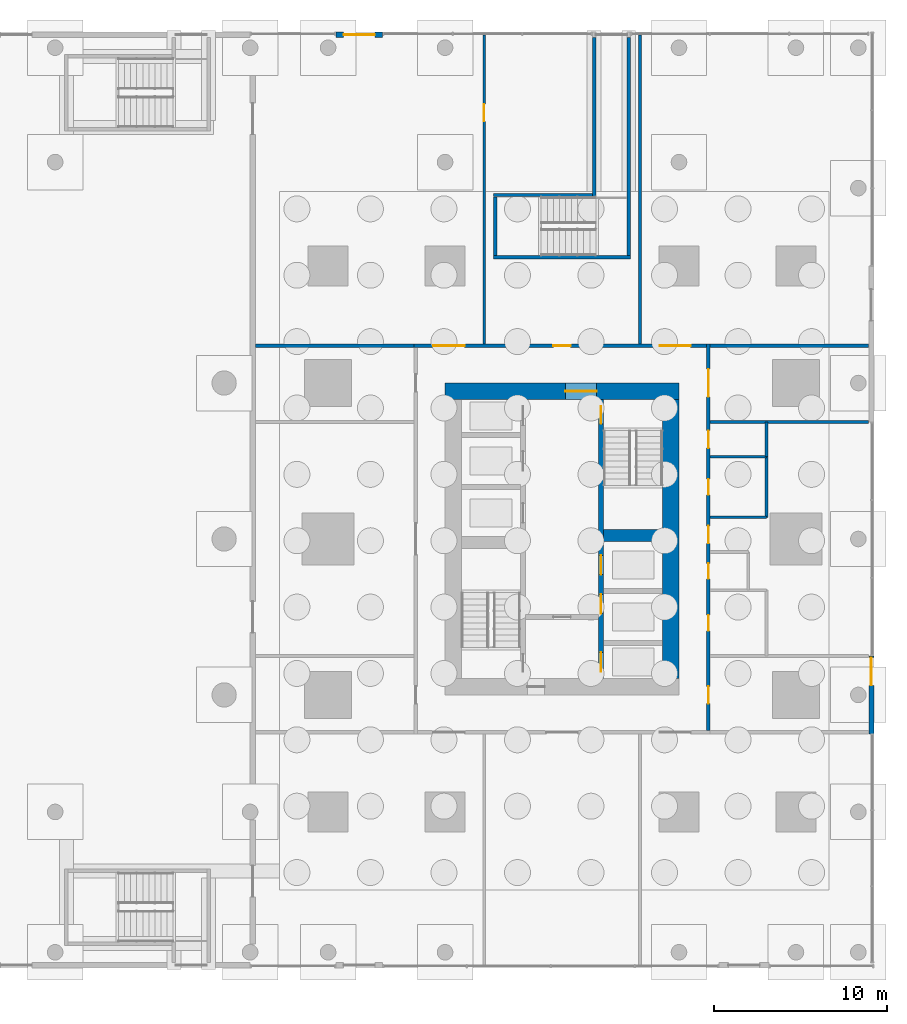
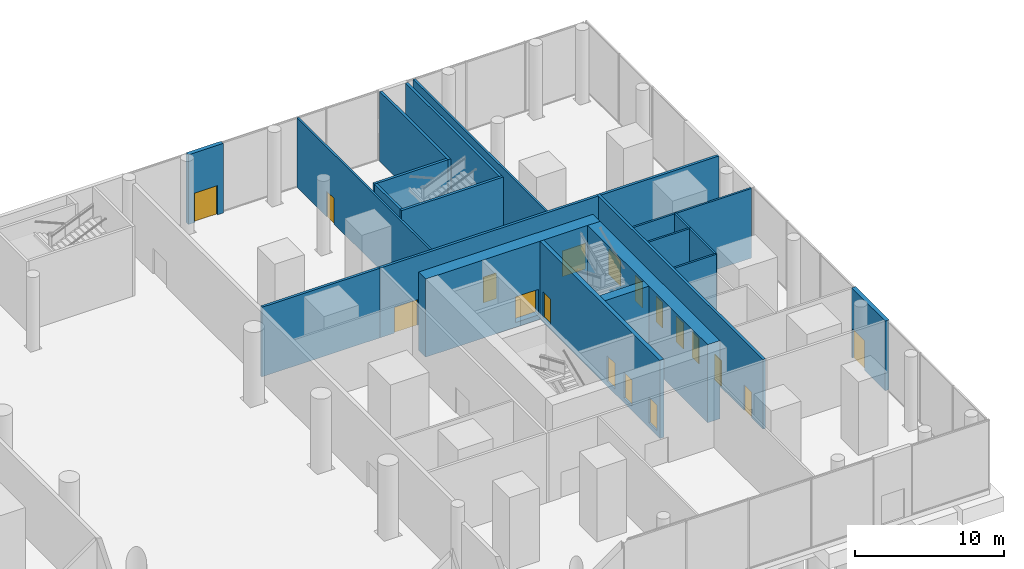
# One storey, part 22 of 31: 22 walls, 18 doors, 18 openings.
"""IFC4 building model written with IfcOpenShell, lengths in metres."""

from ifc_helpers import new_model, si_unit, direction, frame, frame_2d, origin, place, context, subcontext, project, spatial, rectangle, extrude, material, layer, layer_set, type_object, element, fill, save


model = new_model("IFC4")

# Units and contexts
model_context = context("Model", 3, precision=1e-05, world=origin(), true_north=direction((0.0, 1.0)))
body_context = subcontext(model_context, "Body", "Model", "MODEL_VIEW")
ifc_project = project(units=[si_unit("LENGTHUNIT", "METRE"), si_unit("AREAUNIT", "SQUARE_METRE"), si_unit("VOLUMEUNIT", "CUBIC_METRE"), si_unit("PLANEANGLEUNIT", "RADIAN"), si_unit("MASSUNIT", "GRAM", prefix="KILO")], contexts=[model_context])

# Site, building, storey
site_placement = place(None, origin())
site = spatial("IfcSite", under=ifc_project, at=site_placement, CompositionType="ELEMENT")
building_placement = place(site_placement, origin())
building = spatial("IfcBuilding", under=site, at=building_placement, Name="Namib Vertical Campus", CompositionType="ELEMENT")
storey_placement = place(building_placement, origin())
storey = spatial("IfcBuildingStorey", under=building, at=storey_placement, Name="L00", CompositionType="ELEMENT", Elevation=0.0)

# Wall, openings, doors
ifc_material_1 = material(Name="Concrete C60/75", Category="concrete")
ifc_layer_1 = layer(ifc_material_1, 0.300048828125)
ifc_layer_set_1 = layer_set([ifc_layer_1], Name="Concrete C60/75")
wall_type_1 = type_object("IfcWallType", Name="Core inner wall 300", PredefinedType="SHEAR", material=ifc_layer_set_1)
wall_1_placement = place(storey_placement, frame((83.25, 12.199951171875, -0.39990234375), z_axis=(0.0, 0.0, 1.0), x_axis=(0.0, 1.0, 0.0)))
wall_1 = element("IfcWall", 1, at=wall_1_placement, inside=storey, type_object=wall_type_1, Name="Core inner wall B L00 W2", PredefinedType="SHEAR", context=body_context, shape_type="SweptSolid", body=[
    extrude(rectangle(XDim=16.10009765625, YDim=0.300048828125, at=frame_2d((8.050048828125, 0.0))), origin(), (0.0, 0.0, 1.0), 6.39990234375),
])
opening_1_placement = place(wall_1_placement, frame((14.699951171875, 0.0, 0.39990234375)))
opening_1 = element("IfcOpeningElement", 2, at=opening_1_placement, cuts=wall_1, Name="Opening FD1", PredefinedType="OPENING", context=body_context, shape_type="SweptSolid", body=[
    extrude(rectangle(XDim=1.0, YDim=2.10009765625, at=frame_2d((0.5, 1.050048828125))), frame((0.0, 0.159912109375, 0.0), z_axis=(0.0, -1.0, 0.0), x_axis=(1.0, 0.0, 0.0)), (0.0, 0.0, 1.0), 0.320068359375),
])
opening_2_placement = place(wall_1_placement, frame((0.39990234375, 0.0, 0.39990234375)))
opening_2 = element("IfcOpeningElement", 3, at=opening_2_placement, cuts=wall_1, Name="Opening LD1", PredefinedType="OPENING", context=body_context, shape_type="SweptSolid", body=[
    extrude(rectangle(XDim=1.10009765625, YDim=2.10009765625, at=frame_2d((0.550048828125, 1.050048828125))), frame((0.0, 0.159912109375, 0.0), z_axis=(0.0, -1.0, 0.0), x_axis=(1.0, 0.0, 0.0)), (0.0, 0.0, 1.0), 0.320068359375),
])
opening_3_placement = place(wall_1_placement, frame((3.75, 0.0, 0.39990234375)))
opening_3 = element("IfcOpeningElement", 4, at=opening_3_placement, cuts=wall_1, Name="Opening LD1", PredefinedType="OPENING", context=body_context, shape_type="SweptSolid", body=[
    extrude(rectangle(XDim=1.10009765625, YDim=2.10009765625, at=frame_2d((0.550048828125, 1.050048828125))), frame((0.0, 0.159912109375, 0.0), z_axis=(0.0, -1.0, 0.0), x_axis=(1.0, 0.0, 0.0)), (0.0, 0.0, 1.0), 0.320068359375),
])
opening_4_placement = place(wall_1_placement, frame((6.0, 0.0, 0.39990234375)))
opening_4 = element("IfcOpeningElement", 5, at=opening_4_placement, cuts=wall_1, Name="Opening LD1", PredefinedType="OPENING", context=body_context, shape_type="SweptSolid", body=[
    extrude(rectangle(XDim=1.10009765625, YDim=2.10009765625, at=frame_2d((0.550048828125, 1.050048828125))), frame((0.0, 0.159912109375, 0.0), z_axis=(0.0, -1.0, 0.0), x_axis=(1.0, 0.0, 0.0)), (0.0, 0.0, 1.0), 0.320068359375),
])
ifc_material_2 = material(Name="Steel fire door", Category="steel")
door_type_1 = type_object("IfcDoorType", Name="Fire door 1000x2100", OperationType="SINGLE_SWING_RIGHT", PredefinedType="DOOR", material=ifc_material_2)
door_1_placement = place(opening_1_placement, origin())
door_1 = element("IfcDoor", 6, at=door_1_placement, inside=storey, type_object=door_type_1, Name="Stair door FD1 B L00 S2", OperationType="SINGLE_SWING_RIGHT", OverallHeight=2.10009765625, OverallWidth=1.0, PredefinedType="DOOR", context=body_context, shape_type="SweptSolid", body=[
    extrude(rectangle(XDim=1.0, YDim=2.10009765625, at=frame_2d((0.5, 1.050048828125))), frame((0.0, 0.02490234375, 0.0), z_axis=(0.0, -1.0, 0.0), x_axis=(1.0, 0.0, 0.0)), (0.0, 0.0, 1.0), 0.050048828125),
])
fill(opening_1, door_1)
ifc_material_3 = material(Name="Stainless steel lift door", Category="steel")
door_type_2 = type_object("IfcDoorType", Name="Lift landing door 1100x2100", OperationType="DOUBLE_DOOR_SLIDING", PredefinedType="DOOR", material=ifc_material_3)
door_2_placement = place(opening_2_placement, origin())
door_2 = element("IfcDoor", 7, at=door_2_placement, inside=storey, type_object=door_type_2, Name="Lift landing door LD1 B-FL1 L00", OperationType="DOUBLE_DOOR_SLIDING", OverallHeight=2.10009765625, OverallWidth=1.10009765625, PredefinedType="DOOR", context=body_context, shape_type="SweptSolid", body=[
    extrude(rectangle(XDim=1.10009765625, YDim=2.10009765625, at=frame_2d((0.550048828125, 1.050048828125))), frame((0.0, 0.02490234375, 0.0), z_axis=(0.0, -1.0, 0.0), x_axis=(1.0, 0.0, 0.0)), (0.0, 0.0, 1.0), 0.050048828125),
])
fill(opening_2, door_2)
door_3_placement = place(opening_3_placement, origin())
door_3 = element("IfcDoor", 8, at=door_3_placement, inside=storey, type_object=door_type_2, Name="Lift landing door LD1 B-P4 L00", OperationType="DOUBLE_DOOR_SLIDING", OverallHeight=2.10009765625, OverallWidth=1.10009765625, PredefinedType="DOOR", context=body_context, shape_type="SweptSolid", body=[
    extrude(rectangle(XDim=1.10009765625, YDim=2.10009765625, at=frame_2d((0.550048828125, 1.050048828125))), frame((0.0, 0.02490234375, 0.0), z_axis=(0.0, -1.0, 0.0), x_axis=(1.0, 0.0, 0.0)), (0.0, 0.0, 1.0), 0.050048828125),
])
fill(opening_3, door_3)
door_4_placement = place(opening_4_placement, origin())
door_4 = element("IfcDoor", 9, at=door_4_placement, inside=storey, type_object=door_type_2, Name="Lift landing door LD1 B-P5 L00", OperationType="DOUBLE_DOOR_SLIDING", OverallHeight=2.10009765625, OverallWidth=1.10009765625, PredefinedType="DOOR", context=body_context, shape_type="SweptSolid", body=[
    extrude(rectangle(XDim=1.10009765625, YDim=2.10009765625, at=frame_2d((0.550048828125, 1.050048828125))), frame((0.0, 0.02490234375, 0.0), z_axis=(0.0, -1.0, 0.0), x_axis=(1.0, 0.0, 0.0)), (0.0, 0.0, 1.0), 0.050048828125),
])
fill(opening_4, door_4)

# Walls
ifc_material_4 = material(Name="Concrete C60/75", Category="concrete")
ifc_layer_2 = layer(ifc_material_4, 0.699951171875)
ifc_layer_set_2 = layer_set([ifc_layer_2], Name="Concrete C60/75")
wall_type_2 = type_object("IfcWallType", Name="Core shear wall 700", PredefinedType="SHEAR", material=ifc_layer_set_2)
wall_2_placement = place(storey_placement, frame((83.39990234375, 20.449951171875, -0.39990234375), z_axis=(0.0, 0.0, 1.0), x_axis=(1.0, 0.0, 0.0)))
element("IfcWall", 10, at=wall_2_placement, inside=storey, type_object=wall_type_2, Name="Core shear wall B L00 W7", PredefinedType="SHEAR", context=body_context, shape_type="SweptSolid", body=[
    extrude(rectangle(XDim=3.400146484375, YDim=0.699951171875, at=frame_2d((1.7001953125, 0.0))), origin(), (0.0, 0.0, 1.0), 6.39990234375),
])
ifc_material_5 = material(Name="Concrete C60/75", Category="concrete")
ifc_layer_3 = layer(ifc_material_5, 0.949951171875)
ifc_layer_set_3 = layer_set([ifc_layer_3], Name="Concrete C60/75")
wall_type_3 = type_object("IfcWallType", Name="Core wall 950", PredefinedType="SHEAR", material=ifc_layer_set_3)
wall_3_placement = place(storey_placement, frame((87.27490234375, 12.199951171875, -0.39990234375), z_axis=(0.0, 0.0, 1.0), x_axis=(0.0, 1.0, 0.0)))
element("IfcWall", 11, at=wall_3_placement, inside=storey, type_object=wall_type_3, Name="Core wall B L00 2", PredefinedType="SHEAR", context=body_context, shape_type="SweptSolid", body=[
    extrude(rectangle(XDim=16.10009765625, YDim=0.949951171875, at=frame_2d((8.050048828125, 0.0))), origin(), (0.0, 0.0, 1.0), 6.39990234375),
])

# Wall, opening, door
wall_4_placement = place(storey_placement, frame((87.75, 28.77490234375, -0.39990234375), z_axis=(0.0, 0.0, 1.0), x_axis=(-1.0, 0.0, 0.0)))
wall_4 = element("IfcWall", 12, at=wall_4_placement, inside=storey, type_object=wall_type_3, Name="Core wall B L00 3", PredefinedType="SHEAR", context=body_context, shape_type="SweptSolid", body=[
    extrude(rectangle(XDim=13.5, YDim=0.949951171875, at=frame_2d((6.75, 0.0))), origin(), (0.0, 0.0, 1.0), 6.39990234375),
])
opening_5_placement = place(wall_4_placement, frame((4.75, 0.0, 0.39990234375)))
opening_5 = element("IfcOpeningElement", 13, at=opening_5_placement, cuts=wall_4, Name="Opening FD2", PredefinedType="OPENING", context=body_context, shape_type="SweptSolid", body=[
    extrude(rectangle(XDim=1.800048828125, YDim=2.10009765625, at=frame_2d((0.89990234375, 1.050048828125))), frame((0.0, 0.48486328125, 0.0), z_axis=(0.0, -1.0, 0.0), x_axis=(1.0, 0.0, 0.0)), (0.0, 0.0, 1.0), 0.969970703125),
])
ifc_material_6 = material(Name="Steel fire door", Category="steel")
door_type_3 = type_object("IfcDoorType", Name="Fire door double 1800x2100", OperationType="DOUBLE_DOOR_SINGLE_SWING", PredefinedType="DOOR", material=ifc_material_6)
door_5_placement = place(opening_5_placement, frame((1.800048828125, 0.0, 0.0), z_axis=(0.0, 0.0, 1.0), x_axis=(-1.0, 0.0, 0.0)))
door_5 = element("IfcDoor", 14, at=door_5_placement, inside=storey, type_object=door_type_3, Name="Lift lobby door FD2 B L00", OperationType="DOUBLE_DOOR_SINGLE_SWING", OverallHeight=2.10009765625, OverallWidth=1.800048828125, PredefinedType="DOOR", context=body_context, shape_type="SweptSolid", body=[
    extrude(rectangle(XDim=1.800048828125, YDim=2.10009765625, at=frame_2d((0.89990234375, 1.050048828125))), frame((0.0, 0.02490234375, 0.0), z_axis=(0.0, -1.0, 0.0), x_axis=(1.0, 0.0, 0.0)), (0.0, 0.0, 1.0), 0.050048828125),
])
fill(opening_5, door_5)

# Wall, openings, doors
ifc_material_7 = material(Name="Concrete masonry", Category="masonry")
ifc_layer_4 = layer(ifc_material_7, 0.199951171875)
ifc_layer_set_4 = layer_set([ifc_layer_4], Name="Corridor wall 200")
wall_type_4 = type_object("IfcWallType", Name="Corridor wall 200", PredefinedType="SOLIDWALL", material=ifc_layer_set_4)
wall_5_placement = place(storey_placement, frame((89.449951171875, 9.199951171875, 0.0), z_axis=(0.0, 0.0, 1.0), x_axis=(0.0, 1.0, 0.0)))
wall_5 = element("IfcWall", 15, at=wall_5_placement, inside=storey, type_object=wall_type_4, Name="Corridor wall B L00 CE", PredefinedType="SOLIDWALL", context=body_context, shape_type="SweptSolid", body=[
    extrude(rectangle(XDim=22.300048828125, YDim=0.199951171875, at=frame_2d((11.14990234375, 0.0))), origin(), (0.0, 0.0, 1.0), 5.699951171875),
])
opening_6_placement = place(wall_5_placement, frame((1.550048828125, 0.0, 0.0)))
opening_6 = element("IfcOpeningElement", 16, at=opening_6_placement, cuts=wall_5, Name="Opening CD1", PredefinedType="OPENING", context=body_context, shape_type="SweptSolid", body=[
    extrude(rectangle(XDim=1.0, YDim=2.10009765625, at=frame_2d((0.5, 1.050048828125))), frame((0.0, 0.10986328125, 0.0), z_axis=(0.0, -1.0, 0.0), x_axis=(1.0, 0.0, 0.0)), (0.0, 0.0, 1.0), 0.219970703125),
])
opening_7_placement = place(wall_5_placement, frame((5.75, 0.0, 0.0)))
opening_7 = element("IfcOpeningElement", 17, at=opening_7_placement, cuts=wall_5, Name="Opening CD3", PredefinedType="OPENING", context=body_context, shape_type="SweptSolid", body=[
    extrude(rectangle(XDim=0.89990234375, YDim=2.10009765625, at=frame_2d((0.449951171875, 1.050048828125))), frame((0.0, 0.10986328125, 0.0), z_axis=(0.0, -1.0, 0.0), x_axis=(1.0, 0.0, 0.0)), (0.0, 0.0, 1.0), 0.219970703125),
])
opening_8_placement = place(wall_5_placement, frame((8.75, 0.0, 0.0)))
opening_8 = element("IfcOpeningElement", 18, at=opening_8_placement, cuts=wall_5, Name="Opening CD3", PredefinedType="OPENING", context=body_context, shape_type="SweptSolid", body=[
    extrude(rectangle(XDim=0.89990234375, YDim=2.10009765625, at=frame_2d((0.449951171875, 1.050048828125))), frame((0.0, 0.10986328125, 0.0), z_axis=(0.0, -1.0, 0.0), x_axis=(1.0, 0.0, 0.0)), (0.0, 0.0, 1.0), 0.219970703125),
])
opening_9_placement = place(wall_5_placement, frame((13.60009765625, 0.0, 0.0)))
opening_9 = element("IfcOpeningElement", 19, at=opening_9_placement, cuts=wall_5, Name="Opening CD3", PredefinedType="OPENING", context=body_context, shape_type="SweptSolid", body=[
    extrude(rectangle(XDim=0.89990234375, YDim=2.10009765625, at=frame_2d((0.449951171875, 1.050048828125))), frame((0.0, 0.10986328125, 0.0), z_axis=(0.0, -1.0, 0.0), x_axis=(1.0, 0.0, 0.0)), (0.0, 0.0, 1.0), 0.219970703125),
])
opening_10_placement = place(wall_5_placement, frame((16.300048828125, 0.0, 0.0)))
opening_10 = element("IfcOpeningElement", 20, at=opening_10_placement, cuts=wall_5, Name="Opening CD1", PredefinedType="OPENING", context=body_context, shape_type="SweptSolid", body=[
    extrude(rectangle(XDim=1.0, YDim=2.10009765625, at=frame_2d((0.5, 1.050048828125))), frame((0.0, 0.10986328125, 0.0), z_axis=(0.0, -1.0, 0.0), x_axis=(1.0, 0.0, 0.0)), (0.0, 0.0, 1.0), 0.219970703125),
])
opening_11_placement = place(wall_5_placement, frame((10.800048828125, 0.0, 0.0)))
opening_11 = element("IfcOpeningElement", 21, at=opening_11_placement, cuts=wall_5, Name="Opening CD1", PredefinedType="OPENING", context=body_context, shape_type="SweptSolid", body=[
    extrude(rectangle(XDim=1.0, YDim=2.10009765625, at=frame_2d((0.5, 1.050048828125))), frame((0.0, 0.10986328125, 0.0), z_axis=(0.0, -1.0, 0.0), x_axis=(1.0, 0.0, 0.0)), (0.0, 0.0, 1.0), 0.219970703125),
])
opening_12_placement = place(wall_5_placement, frame((19.25, 0.0, 0.0)))
opening_12 = element("IfcOpeningElement", 22, at=opening_12_placement, cuts=wall_5, Name="Opening FD3", PredefinedType="OPENING", context=body_context, shape_type="SweptSolid", body=[
    extrude(rectangle(XDim=1.60009765625, YDim=2.10009765625, at=frame_2d((0.800048828125, 1.050048828125))), frame((0.0, 0.10986328125, 0.0), z_axis=(0.0, -1.0, 0.0), x_axis=(1.0, 0.0, 0.0)), (0.0, 0.0, 1.0), 0.219970703125),
])
ifc_material_8 = material(Name="Timber fire door leaf", Category="wood")
door_type_4 = type_object("IfcDoorType", Name="Corridor door 1000x2100 20 min", OperationType="SINGLE_SWING_LEFT", PredefinedType="DOOR", material=ifc_material_8)
door_6_placement = place(opening_6_placement, frame((1.0, 0.0, 0.0), z_axis=(0.0, 0.0, 1.0), x_axis=(-1.0, 0.0, 0.0)))
door_6 = element("IfcDoor", 23, at=door_6_placement, inside=storey, type_object=door_type_4, Name="Door CD1 B00-04", OperationType="SINGLE_SWING_RIGHT", OverallHeight=2.10009765625, OverallWidth=1.0, PredefinedType="DOOR", context=body_context, shape_type="SweptSolid", body=[
    extrude(rectangle(XDim=1.0, YDim=2.10009765625, at=frame_2d((0.5, 1.050048828125))), frame((0.0, 0.02490234375, 0.0), z_axis=(0.0, -1.0, 0.0), x_axis=(1.0, 0.0, 0.0)), (0.0, 0.0, 1.0), 0.050048828125),
])
fill(opening_6, door_6)
door_7_placement = place(opening_10_placement, frame((1.0, 0.0, 0.0), z_axis=(0.0, 0.0, 1.0), x_axis=(-1.0, 0.0, 0.0)))
door_7 = element("IfcDoor", 24, at=door_7_placement, inside=storey, type_object=door_type_4, Name="Door CD1 B00-08", OperationType="SINGLE_SWING_RIGHT", OverallHeight=2.10009765625, OverallWidth=1.0, PredefinedType="DOOR", context=body_context, shape_type="SweptSolid", body=[
    extrude(rectangle(XDim=1.0, YDim=2.10009765625, at=frame_2d((0.5, 1.050048828125))), frame((0.0, 0.02490234375, 0.0), z_axis=(0.0, -1.0, 0.0), x_axis=(1.0, 0.0, 0.0)), (0.0, 0.0, 1.0), 0.050048828125),
])
fill(opening_10, door_7)
door_8_placement = place(opening_11_placement, frame((1.0, 0.0, 0.0), z_axis=(0.0, 0.0, 1.0), x_axis=(-1.0, 0.0, 0.0)))
door_8 = element("IfcDoor", 25, at=door_8_placement, inside=storey, type_object=door_type_4, Name="Door CD1 B00-09", OperationType="SINGLE_SWING_RIGHT", OverallHeight=2.10009765625, OverallWidth=1.0, PredefinedType="DOOR", context=body_context, shape_type="SweptSolid", body=[
    extrude(rectangle(XDim=1.0, YDim=2.10009765625, at=frame_2d((0.5, 1.050048828125))), frame((0.0, 0.02490234375, 0.0), z_axis=(0.0, -1.0, 0.0), x_axis=(1.0, 0.0, 0.0)), (0.0, 0.0, 1.0), 0.050048828125),
])
fill(opening_11, door_8)
ifc_material_9 = material(Name="Timber fire door leaf", Category="wood")
door_type_5 = type_object("IfcDoorType", Name="Corridor toilet door 900x2100 20 min", OperationType="SINGLE_SWING_LEFT", PredefinedType="DOOR", material=ifc_material_9)
door_9_placement = place(opening_7_placement, frame((0.89990234375, 0.0, 0.0), z_axis=(0.0, 0.0, 1.0), x_axis=(-1.0, 0.0, 0.0)))
door_9 = element("IfcDoor", 26, at=door_9_placement, inside=storey, type_object=door_type_5, Name="Door CD3 B00-05", OperationType="SINGLE_SWING_RIGHT", OverallHeight=2.10009765625, OverallWidth=0.89990234375, PredefinedType="DOOR", context=body_context, shape_type="SweptSolid", body=[
    extrude(rectangle(XDim=0.89990234375, YDim=2.10009765625, at=frame_2d((0.449951171875, 1.050048828125))), frame((0.0, 0.02490234375, 0.0), z_axis=(0.0, -1.0, 0.0), x_axis=(1.0, 0.0, 0.0)), (0.0, 0.0, 1.0), 0.050048828125),
])
fill(opening_7, door_9)
door_10_placement = place(opening_8_placement, frame((0.89990234375, 0.0, 0.0), z_axis=(0.0, 0.0, 1.0), x_axis=(-1.0, 0.0, 0.0)))
door_10 = element("IfcDoor", 27, at=door_10_placement, inside=storey, type_object=door_type_5, Name="Door CD3 B00-06", OperationType="SINGLE_SWING_RIGHT", OverallHeight=2.10009765625, OverallWidth=0.89990234375, PredefinedType="DOOR", context=body_context, shape_type="SweptSolid", body=[
    extrude(rectangle(XDim=0.89990234375, YDim=2.10009765625, at=frame_2d((0.449951171875, 1.050048828125))), frame((0.0, 0.02490234375, 0.0), z_axis=(0.0, -1.0, 0.0), x_axis=(1.0, 0.0, 0.0)), (0.0, 0.0, 1.0), 0.050048828125),
])
fill(opening_8, door_10)
door_11_placement = place(opening_9_placement, frame((0.89990234375, 0.0, 0.0), z_axis=(0.0, 0.0, 1.0), x_axis=(-1.0, 0.0, 0.0)))
door_11 = element("IfcDoor", 28, at=door_11_placement, inside=storey, type_object=door_type_5, Name="Door CD3 B00-07", OperationType="SINGLE_SWING_RIGHT", OverallHeight=2.10009765625, OverallWidth=0.89990234375, PredefinedType="DOOR", context=body_context, shape_type="SweptSolid", body=[
    extrude(rectangle(XDim=0.89990234375, YDim=2.10009765625, at=frame_2d((0.449951171875, 1.050048828125))), frame((0.0, 0.02490234375, 0.0), z_axis=(0.0, -1.0, 0.0), x_axis=(1.0, 0.0, 0.0)), (0.0, 0.0, 1.0), 0.050048828125),
])
fill(opening_9, door_11)
ifc_material_10 = material(Name="Steel fire door", Category="steel")
door_type_6 = type_object("IfcDoorType", Name="Fire door double 1600x2100", OperationType="DOUBLE_DOOR_SINGLE_SWING", PredefinedType="DOOR", material=ifc_material_10)
door_12_placement = place(opening_12_placement, frame((1.60009765625, 0.0, 0.0), z_axis=(0.0, 0.0, 1.0), x_axis=(-1.0, 0.0, 0.0)))
door_12 = element("IfcDoor", 29, at=door_12_placement, inside=storey, type_object=door_type_6, Name="Door FD3 B00-10", OperationType="DOUBLE_DOOR_SINGLE_SWING", OverallHeight=2.10009765625, OverallWidth=1.60009765625, PredefinedType="DOOR", context=body_context, shape_type="SweptSolid", body=[
    extrude(rectangle(XDim=1.60009765625, YDim=2.10009765625, at=frame_2d((0.800048828125, 1.050048828125))), frame((0.0, 0.02490234375, 0.0), z_axis=(0.0, -1.0, 0.0), x_axis=(1.0, 0.0, 0.0)), (0.0, 0.0, 1.0), 0.050048828125),
])
fill(opening_12, door_12)

wall_6_placement = place(storey_placement, frame((89.35009765625, 31.39990234375, 0.0), z_axis=(0.0, 0.0, 1.0), x_axis=(-1.0, 0.0, 0.0)))
wall_6 = element("IfcWall", 30, at=wall_6_placement, inside=storey, type_object=wall_type_4, Name="Corridor wall B L00 CN", PredefinedType="SOLIDWALL", context=body_context, shape_type="SweptSolid", body=[
    extrude(rectangle(XDim=16.900146484375, YDim=0.199951171875, at=frame_2d((8.4501953125, 0.0))), origin(), (0.0, 0.0, 1.0), 5.699951171875),
])
opening_13_placement = place(wall_6_placement, frame((13.97509765625, 0.0, 0.0)))
opening_13 = element("IfcOpeningElement", 31, at=opening_13_placement, cuts=wall_6, Name="Opening CD2", PredefinedType="OPENING", context=body_context, shape_type="SweptSolid", body=[
    extrude(rectangle(XDim=1.800048828125, YDim=2.10009765625, at=frame_2d((0.89990234375, 1.050048828125))), frame((0.0, 0.10986328125, 0.0), z_axis=(0.0, -1.0, 0.0), x_axis=(1.0, 0.0, 0.0)), (0.0, 0.0, 1.0), 0.219970703125),
])
opening_14_placement = place(wall_6_placement, frame((7.85009765625, 0.0, 0.0)))
opening_14 = element("IfcOpeningElement", 32, at=opening_14_placement, cuts=wall_6, Name="Opening CD1", PredefinedType="OPENING", context=body_context, shape_type="SweptSolid", body=[
    extrude(rectangle(XDim=1.0, YDim=2.10009765625, at=frame_2d((0.5, 1.050048828125))), frame((0.0, 0.10986328125, 0.0), z_axis=(0.0, -1.0, 0.0), x_axis=(1.0, 0.0, 0.0)), (0.0, 0.0, 1.0), 0.219970703125),
])
opening_15_placement = place(wall_6_placement, frame((0.925048828125, 0.0, 0.0)))
opening_15 = element("IfcOpeningElement", 33, at=opening_15_placement, cuts=wall_6, Name="Opening CD2", PredefinedType="OPENING", context=body_context, shape_type="SweptSolid", body=[
    extrude(rectangle(XDim=1.800048828125, YDim=2.10009765625, at=frame_2d((0.89990234375, 1.050048828125))), frame((0.0, 0.10986328125, 0.0), z_axis=(0.0, -1.0, 0.0), x_axis=(1.0, 0.0, 0.0)), (0.0, 0.0, 1.0), 0.219970703125),
])
door_13_placement = place(opening_14_placement, frame((1.0, 0.0, 0.0), z_axis=(0.0, 0.0, 1.0), x_axis=(-1.0, 0.0, 0.0)))
door_13 = element("IfcDoor", 34, at=door_13_placement, inside=storey, type_object=door_type_4, Name="Door CD1 B00-12", OperationType="SINGLE_SWING_RIGHT", OverallHeight=2.10009765625, OverallWidth=1.0, PredefinedType="DOOR", context=body_context, shape_type="SweptSolid", body=[
    extrude(rectangle(XDim=1.0, YDim=2.10009765625, at=frame_2d((0.5, 1.050048828125))), frame((0.0, 0.02490234375, 0.0), z_axis=(0.0, -1.0, 0.0), x_axis=(1.0, 0.0, 0.0)), (0.0, 0.0, 1.0), 0.050048828125),
])
fill(opening_14, door_13)
ifc_material_11 = material(Name="Timber fire door leaf", Category="wood")
door_type_7 = type_object("IfcDoorType", Name="Corridor door double 1800x2100 20 min", OperationType="DOUBLE_DOOR_SINGLE_SWING", PredefinedType="DOOR", material=ifc_material_11)
door_14_placement = place(opening_13_placement, frame((1.800048828125, 0.0, 0.0), z_axis=(0.0, 0.0, 1.0), x_axis=(-1.0, 0.0, 0.0)))
door_14 = element("IfcDoor", 35, at=door_14_placement, inside=storey, type_object=door_type_7, Name="Door CD2 B00-11", OperationType="DOUBLE_DOOR_SINGLE_SWING", OverallHeight=2.10009765625, OverallWidth=1.800048828125, PredefinedType="DOOR", context=body_context, shape_type="SweptSolid", body=[
    extrude(rectangle(XDim=1.800048828125, YDim=2.10009765625, at=frame_2d((0.89990234375, 1.050048828125))), frame((0.0, 0.02490234375, 0.0), z_axis=(0.0, -1.0, 0.0), x_axis=(1.0, 0.0, 0.0)), (0.0, 0.0, 1.0), 0.050048828125),
])
fill(opening_13, door_14)
door_15_placement = place(opening_15_placement, frame((1.800048828125, 0.0, 0.0), z_axis=(0.0, 0.0, 1.0), x_axis=(-1.0, 0.0, 0.0)))
door_15 = element("IfcDoor", 36, at=door_15_placement, inside=storey, type_object=door_type_7, Name="Door CD2 B00-13", OperationType="DOUBLE_DOOR_SINGLE_SWING", OverallHeight=2.10009765625, OverallWidth=1.800048828125, PredefinedType="DOOR", context=body_context, shape_type="SweptSolid", body=[
    extrude(rectangle(XDim=1.800048828125, YDim=2.10009765625, at=frame_2d((0.89990234375, 1.050048828125))), frame((0.0, 0.02490234375, 0.0), z_axis=(0.0, -1.0, 0.0), x_axis=(1.0, 0.0, 0.0)), (0.0, 0.0, 1.0), 0.050048828125),
])
fill(opening_15, door_15)

# Walls
for number, where, z_axis, x_axis, name in (
    (37, (63.300048828125, 31.39990234375, 0.0), (0.0, 0.0, 1.0), (1.0, 0.0, 0.0), "Partition B L00 BNW"),
    (38, (89.550048828125, 31.39990234375, 0.0), (0.0, 0.0, 1.0), (1.0, 0.0, 0.0), "Partition B L00 BNE"),
):
    element("IfcWall", number, at=place(storey_placement, frame(where, z_axis=z_axis, x_axis=x_axis)), inside=storey, type_object=wall_type_4, Name=name, PredefinedType="SOLIDWALL", context=body_context, shape_type="SweptSolid", body=[
        extrude(rectangle(XDim=9.14990234375, YDim=0.199951171875, at=frame_2d((4.574951171875, 0.0))), origin(), (0.0, 0.0, 1.0), 5.699951171875),
    ])

# Wall, opening, door
ifc_material_12 = material(Name="Concrete C40/50", Category="concrete")
ifc_layer_5 = layer(ifc_material_12, 0.300048828125)
ifc_layer_set_5 = layer_set([ifc_layer_5], Name="Concrete C40/50")
wall_type_5 = type_object("IfcWallType", Name="External wall 300 board-marked concrete", PredefinedType="STANDARD", material=ifc_layer_set_5)
wall_7_placement = place(storey_placement, frame((98.85009765625, 9.0, 0.0), z_axis=(0.0, 0.0, 1.0), x_axis=(0.0, 1.0, 0.0)))
wall_7 = element("IfcWall", 39, at=wall_7_placement, inside=storey, type_object=wall_type_5, Name="External wall L00 entrance 2", PredefinedType="STANDARD", context=body_context, shape_type="SweptSolid", body=[
    extrude(rectangle(XDim=4.5, YDim=0.300048828125, at=frame_2d((2.25, 0.0))), origin(), (0.0, 0.0, 1.0), 5.699951171875),
])
opening_16_placement = place(wall_7_placement, frame((2.800048828125, 0.0, 0.0)))
opening_16 = element("IfcOpeningElement", 40, at=opening_16_placement, cuts=wall_7, Name="Opening ED2", PredefinedType="OPENING", context=body_context, shape_type="SweptSolid", body=[
    extrude(rectangle(XDim=1.60009765625, YDim=2.39990234375, at=frame_2d((0.800048828125, 1.199951171875))), frame((0.0, 0.159912109375, 0.0), z_axis=(0.0, -1.0, 0.0), x_axis=(1.0, 0.0, 0.0)), (0.0, 0.0, 1.0), 0.320068359375),
])
ifc_material_13 = material(Name="Steel exit door", Category="steel")
door_type_8 = type_object("IfcDoorType", Name="Exit door pair 1600x2400", OperationType="DOUBLE_DOOR_SINGLE_SWING", PredefinedType="DOOR", material=ifc_material_13)
door_16_placement = place(opening_16_placement, frame((1.60009765625, 0.0, 0.0), z_axis=(0.0, 0.0, 1.0), x_axis=(-1.0, 0.0, 0.0)))
door_16 = element("IfcDoor", 41, at=door_16_placement, inside=storey, type_object=door_type_8, Name="Entrance door ED2 2-1", OperationType="DOUBLE_DOOR_SINGLE_SWING", OverallHeight=2.39990234375, OverallWidth=1.60009765625, PredefinedType="DOOR", context=body_context, shape_type="SweptSolid", body=[
    extrude(rectangle(XDim=1.60009765625, YDim=2.39990234375, at=frame_2d((0.800048828125, 1.199951171875))), frame((0.0, 0.02490234375, 0.0), z_axis=(0.0, -1.0, 0.0), x_axis=(1.0, 0.0, 0.0)), (0.0, 0.0, 1.0), 0.050048828125),
])
fill(opening_16, door_16)

wall_8_placement = place(storey_placement, frame((70.64990234375, 49.35009765625, 0.0), z_axis=(0.0, 0.0, 1.0), x_axis=(-1.0, 0.0, 0.0)))
wall_8 = element("IfcWall", 42, at=wall_8_placement, inside=storey, type_object=wall_type_5, Name="External wall L00 entrance 12", PredefinedType="STANDARD", context=body_context, shape_type="SweptSolid", body=[
    extrude(rectangle(XDim=2.699951171875, YDim=0.300048828125, at=frame_2d((1.35009765625, 0.0))), origin(), (0.0, 0.0, 1.0), 5.699951171875),
])
opening_17_placement = place(wall_8_placement, frame((0.449951171875, 0.0, 0.0)))
opening_17 = element("IfcOpeningElement", 43, at=opening_17_placement, cuts=wall_8, Name="Opening ED1", PredefinedType="OPENING", context=body_context, shape_type="SweptSolid", body=[
    extrude(rectangle(XDim=1.800048828125, YDim=2.39990234375, at=frame_2d((0.89990234375, 1.199951171875))), frame((0.0, 0.159912109375, 0.0), z_axis=(0.0, -1.0, 0.0), x_axis=(1.0, 0.0, 0.0)), (0.0, 0.0, 1.0), 0.320068359375),
])
ifc_material_14 = material(Name="Black aluminium glazed door", Category="aluminium")
door_type_9 = type_object("IfcDoorType", Name="Entrance door pair 1800x2400", OperationType="DOUBLE_DOOR_SINGLE_SWING", PredefinedType="DOOR", material=ifc_material_14)
door_17_placement = place(opening_17_placement, frame((1.800048828125, 0.0, 0.0), z_axis=(0.0, 0.0, 1.0), x_axis=(-1.0, 0.0, 0.0)))
door_17 = element("IfcDoor", 44, at=door_17_placement, inside=storey, type_object=door_type_9, Name="Entrance door ED1 12-1", OperationType="DOUBLE_DOOR_SINGLE_SWING", OverallHeight=2.39990234375, OverallWidth=1.800048828125, PredefinedType="DOOR", context=body_context, shape_type="SweptSolid", body=[
    extrude(rectangle(XDim=1.800048828125, YDim=2.39990234375, at=frame_2d((0.89990234375, 1.199951171875))), frame((0.0, 0.02490234375, 0.0), z_axis=(0.0, -1.0, 0.0), x_axis=(1.0, 0.0, 0.0)), (0.0, 0.0, 1.0), 0.050048828125),
])
fill(opening_17, door_17)

ifc_material_15 = material(Name="Gypsum board on steel studs", Category="steel")
ifc_layer_6 = layer(ifc_material_15, 0.14990234375)
ifc_layer_set_6 = layer_set([ifc_layer_6], Name="Gypsum board on steel studs")
wall_type_6 = type_object("IfcWallType", Name="Partition 150", PredefinedType="PARTITIONING", material=ifc_layer_set_6)
wall_9_placement = place(storey_placement, frame((76.5, 31.5, 0.0), z_axis=(0.0, 0.0, 1.0), x_axis=(0.0, 1.0, 0.0)))
wall_9 = element("IfcWall", 45, at=wall_9_placement, inside=storey, type_object=wall_type_6, Name="Partition B L00 PN1", PredefinedType="PARTITIONING", context=body_context, shape_type="SweptSolid", body=[
    extrude(rectangle(XDim=17.820068359375, YDim=0.14990234375, at=frame_2d((8.91015625, 0.0))), origin(), (0.0, 0.0, 1.0), 5.699951171875),
])
opening_18_placement = place(wall_9_placement, frame((12.85009765625, 0.0, 0.0)))
opening_18 = element("IfcOpeningElement", 46, at=opening_18_placement, cuts=wall_9, Name="Opening D1", PredefinedType="OPENING", context=body_context, shape_type="SweptSolid", body=[
    extrude(rectangle(XDim=1.0, YDim=2.10009765625, at=frame_2d((0.5, 1.050048828125))), frame((0.0, 0.0849609375, 0.0), z_axis=(0.0, -1.0, 0.0), x_axis=(1.0, 0.0, 0.0)), (0.0, 0.0, 1.0), 0.169921875),
])
ifc_material_16 = material(Name="Timber door leaf", Category="wood")
door_type_10 = type_object("IfcDoorType", Name="Door single 1000x2100", OperationType="SINGLE_SWING_LEFT", PredefinedType="DOOR", material=ifc_material_16)
door_18_placement = place(opening_18_placement, frame((1.0, 0.0, 0.0), z_axis=(0.0, 0.0, 1.0), x_axis=(-1.0, 0.0, 0.0)))
door_18 = element("IfcDoor", 47, at=door_18_placement, inside=storey, type_object=door_type_10, Name="Door D1 B00-18", OperationType="SINGLE_SWING_RIGHT", OverallHeight=2.10009765625, OverallWidth=1.0, PredefinedType="DOOR", context=body_context, shape_type="SweptSolid", body=[
    extrude(rectangle(XDim=1.0, YDim=2.10009765625, at=frame_2d((0.5, 1.050048828125))), frame((0.0, 0.02490234375, 0.0), z_axis=(0.0, -1.0, 0.0), x_axis=(1.0, 0.0, 0.0)), (0.0, 0.0, 1.0), 0.050048828125),
])
fill(opening_18, door_18)

# Walls
wall_10_placement = place(storey_placement, frame((85.5, 31.5, 0.0), z_axis=(0.0, 0.0, 1.0), x_axis=(0.0, 1.0, 0.0)))
element("IfcWall", 48, at=wall_10_placement, inside=storey, type_object=wall_type_6, Name="Partition B L00 PN2", PredefinedType="PARTITIONING", context=body_context, shape_type="SweptSolid", body=[
    extrude(rectangle(XDim=17.820068359375, YDim=0.14990234375, at=frame_2d((8.91015625, 0.0))), origin(), (0.0, 0.0, 1.0), 5.699951171875),
])
wall_11_placement = place(storey_placement, frame((89.550048828125, 27.0, 0.0), z_axis=(0.0, 0.0, 1.0), x_axis=(1.0, 0.0, 0.0)))
element("IfcWall", 49, at=wall_11_placement, inside=storey, type_object=wall_type_6, Name="Partition B L00 PE2", PredefinedType="PARTITIONING", context=body_context, shape_type="SweptSolid", body=[
    extrude(rectangle(XDim=9.14990234375, YDim=0.14990234375, at=frame_2d((4.574951171875, 0.0))), origin(), (0.0, 0.0, 1.0), 5.699951171875),
])
for number, where, z_axis, x_axis, name in (
    (50, (89.550048828125, 21.5, 0.0), (0.0, 0.0, 1.0), (1.0, 0.0, 0.0), "Partition B L00 WR3"),
    (51, (89.550048828125, 25.0, 0.0), (0.0, 0.0, 1.0), (1.0, 0.0, 0.0), "Partition B L00 WR4"),
):
    element("IfcWall", number, at=place(storey_placement, frame(where, z_axis=z_axis, x_axis=x_axis)), inside=storey, type_object=wall_type_6, Name=name, PredefinedType="PARTITIONING", context=body_context, shape_type="SweptSolid", body=[
        extrude(rectangle(XDim=3.25, YDim=0.14990234375, at=frame_2d((1.625, 0.0))), origin(), (0.0, 0.0, 1.0), 5.699951171875),
    ])
wall_12_placement = place(storey_placement, frame((92.800048828125, 21.5, 0.0), z_axis=(0.0, 0.0, 1.0), x_axis=(0.0, 1.0, 0.0)))
element("IfcWall", 52, at=wall_12_placement, inside=storey, type_object=wall_type_6, Name="Partition B L00 WB3", PredefinedType="PARTITIONING", context=body_context, shape_type="SweptSolid", body=[
    extrude(rectangle(XDim=3.5, YDim=0.14990234375, at=frame_2d((1.75, 0.0))), origin(), (0.0, 0.0, 1.0), 5.699951171875),
])
wall_13_placement = place(storey_placement, frame((92.800048828125, 25.0, 0.0), z_axis=(0.0, 0.0, 1.0), x_axis=(0.0, 1.0, 0.0)))
element("IfcWall", 53, at=wall_13_placement, inside=storey, type_object=wall_type_6, Name="Partition B L00 WB4", PredefinedType="PARTITIONING", context=body_context, shape_type="SweptSolid", body=[
    extrude(rectangle(XDim=2.0, YDim=0.14990234375, at=frame_2d((1.0, 0.0))), origin(), (0.0, 0.0, 1.0), 5.699951171875),
])
ifc_material_17 = material(Name="Concrete C40/50", Category="concrete")
ifc_layer_7 = layer(ifc_material_17, 0.199951171875)
ifc_layer_set_7 = layer_set([ifc_layer_7], Name="Concrete C40/50")
wall_type_7 = type_object("IfcWallType", Name="Stair enclosure wall RC 200", PredefinedType="SOLIDWALL", material=ifc_layer_set_7)
wall_14_placement = place(storey_placement, frame((77.050048828125, 36.5, 0.0), z_axis=(0.0, 0.0, 1.0), x_axis=(1.0, 0.0, 0.0)))
element("IfcWall", 54, at=wall_14_placement, inside=storey, type_object=wall_type_7, Name="Stair enclosure wall B-S3 L00 S", PredefinedType="SOLIDWALL", context=body_context, shape_type="SweptSolid", body=[
    extrude(rectangle(XDim=7.89990234375, YDim=0.199951171875, at=frame_2d((3.949951171875, 0.0))), origin(), (0.0, 0.0, 1.0), 5.699951171875),
])
wall_15_placement = place(storey_placement, frame((77.050048828125, 40.10009765625, 0.0), z_axis=(0.0, 0.0, 1.0), x_axis=(1.0, 0.0, 0.0)))
element("IfcWall", 55, at=wall_15_placement, inside=storey, type_object=wall_type_7, Name="Stair enclosure wall B-S3 L00 N", PredefinedType="SOLIDWALL", context=body_context, shape_type="SweptSolid", body=[
    extrude(rectangle(XDim=5.699951171875, YDim=0.199951171875, at=frame_2d((2.85009765625, 0.0))), origin(), (0.0, 0.0, 1.0), 5.699951171875),
])
wall_16_placement = place(storey_placement, frame((77.14990234375, 36.60009765625, 0.0), z_axis=(0.0, 0.0, 1.0), x_axis=(0.0, 1.0, 0.0)))
element("IfcWall", 56, at=wall_16_placement, inside=storey, type_object=wall_type_7, Name="Stair enclosure wall B-S3 L00 W", PredefinedType="SOLIDWALL", context=body_context, shape_type="SweptSolid", body=[
    extrude(rectangle(XDim=3.39990234375, YDim=0.199951171875, at=frame_2d((1.699951171875, 0.0))), origin(), (0.0, 0.0, 1.0), 5.699951171875),
])
wall_17_placement = place(storey_placement, frame((84.85009765625, 36.60009765625, 0.0), z_axis=(0.0, 0.0, 1.0), x_axis=(0.0, 1.0, 0.0)))
element("IfcWall", 57, at=wall_17_placement, inside=storey, type_object=wall_type_7, Name="Stair enclosure wall B-S3 L00 E", PredefinedType="SOLIDWALL", context=body_context, shape_type="SweptSolid", body=[
    extrude(rectangle(XDim=12.599853515625, YDim=0.199951171875, at=frame_2d((6.2998046875, 0.0))), origin(), (0.0, 0.0, 1.0), 5.699951171875),
])
wall_18_placement = place(storey_placement, frame((82.85009765625, 40.0, 0.0), z_axis=(0.0, 0.0, 1.0), x_axis=(0.0, 1.0, 0.0)))
element("IfcWall", 58, at=wall_18_placement, inside=storey, type_object=wall_type_7, Name="Stair enclosure wall B-S3 L00 exit vestibule", PredefinedType="SOLIDWALL", context=body_context, shape_type="SweptSolid", body=[
    extrude(rectangle(XDim=9.199951171875, YDim=0.199951171875, at=frame_2d((4.60009765625, 0.0))), origin(), (0.0, 0.0, 1.0), 5.699951171875),
])

save(model, "model.ifc")
